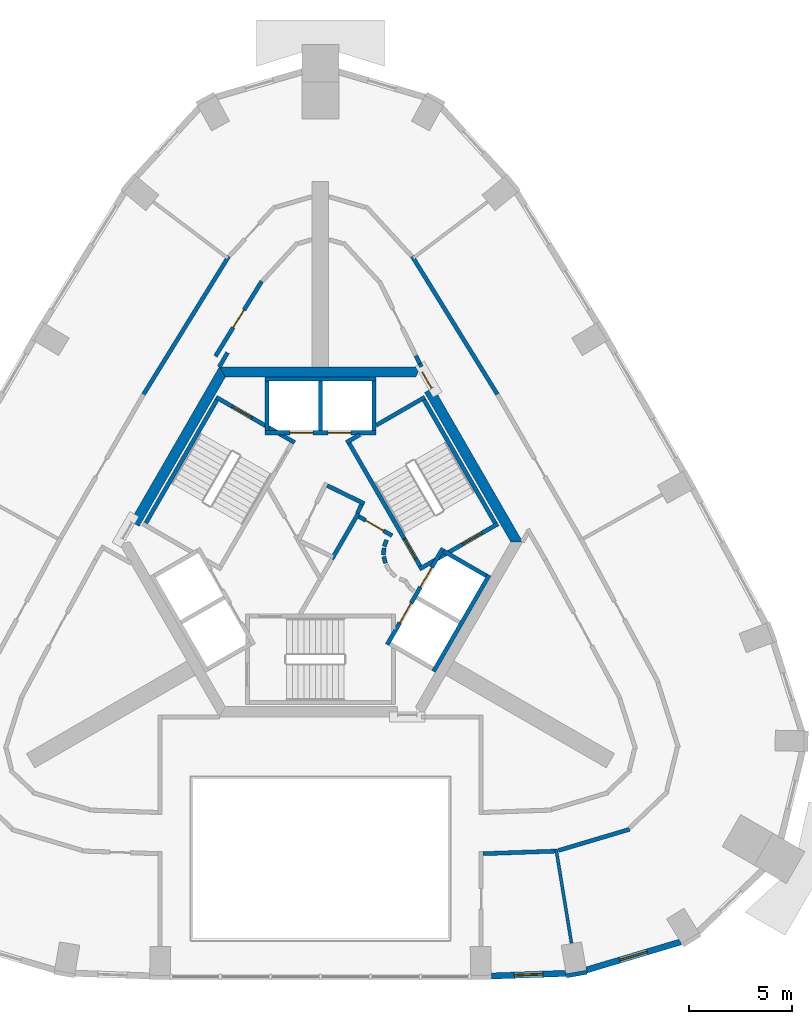
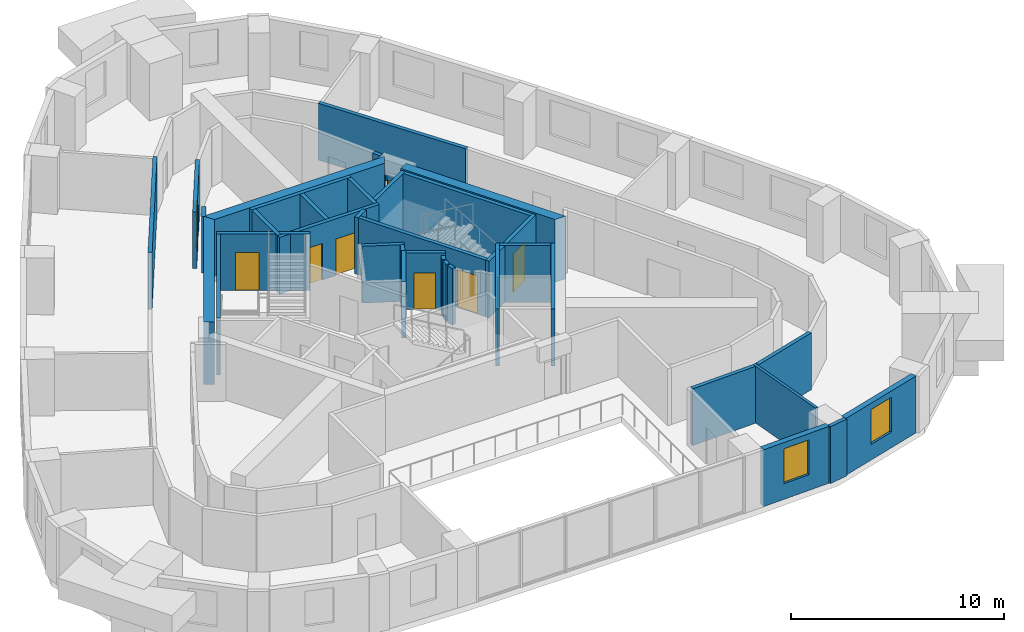
# One storey, part 5 of 9: 38 walls, 10 doors, 2 windows, 12 openings.
"""IFC4 building model written with IfcOpenShell, lengths in metres."""

from ifc_helpers import new_model, si_unit, direction, frame, frame_2d, origin, place, context, subcontext, project, spatial, polyline, rectangle, outline, extrude, material, layer, layer_set, type_object, element, fill, save


model = new_model("IFC4")

# Units and contexts
model_context = context("Model", 3, precision=1e-05, world=origin(), true_north=direction((0.0, 1.0)))
body_context = subcontext(model_context, "Body", "Model", "MODEL_VIEW")
ifc_project = project(units=[si_unit("LENGTHUNIT", "METRE"), si_unit("AREAUNIT", "SQUARE_METRE"), si_unit("VOLUMEUNIT", "CUBIC_METRE"), si_unit("PLANEANGLEUNIT", "RADIAN"), si_unit("MASSUNIT", "GRAM", prefix="KILO")], contexts=[model_context])

# Site, building, storey
site_placement = place(None, origin())
site = spatial("IfcSite", under=ifc_project, at=site_placement, CompositionType="ELEMENT")
building_placement = place(site_placement, origin())
building = spatial("IfcBuilding", under=site, at=building_placement, Name="Entoto Arch Interchange Tower", CompositionType="ELEMENT")
storey_placement = place(building_placement, frame((0.0, 0.0, 315.199951171875)))
storey = spatial("IfcBuildingStorey", under=building, at=storey_placement, Name="L74", CompositionType="ELEMENT", Elevation=315.199951171875)

# Wall, opening, door
ifc_material_1 = material(Name="Reinforced concrete C40/50", Category="concrete")
ifc_layer_1 = layer(ifc_material_1, 0.199951171875)
ifc_layer_set_1 = layer_set([ifc_layer_1], Name="Reinforced concrete C40/50")
wall_type_1 = type_object("IfcWallType", Name="CORE GAP INFILL WALL", PredefinedType="PARTITIONING", material=ifc_layer_set_1)
wall_1_placement = place(storey_placement, frame((5.39892578125, 9.947998046875, 0.0), z_axis=(0.0, 0.0, 1.0), x_axis=(-0.499882215713, 0.866093395895, 0.0)))
wall_1 = element("IfcWall", 1, at=wall_1_placement, inside=storey, type_object=wall_type_1, Name="wall:L74:gap2", PredefinedType="PARTITIONING", context=body_context, shape_type="SweptSolid", body=[
    extrude(rectangle(XDim=0.926025390625, YDim=0.199951171875, at=frame_2d((0.462890625, 0.0))), origin(), (0.0, 0.0, 1.0), 2.400146484375),
])
opening_1_placement = place(wall_1_placement, frame((0.01708984375, 0.0, 0.0)))
opening_1 = element("IfcOpeningElement", 2, at=opening_1_placement, cuts=wall_1, Name="Opening L74-D92", PredefinedType="OPENING", context=body_context, shape_type="SweptSolid", body=[
    extrude(rectangle(XDim=0.89990234375, YDim=2.10009765625, at=frame_2d((0.449951171875, 1.050048828125))), frame((0.0, 0.10986328125, 0.0), z_axis=(0.0, -1.0, 0.0), x_axis=(1.0, 0.0, 0.0)), (0.0, 0.0, 1.0), 0.219970703125),
])
ifc_material_2 = material(Name="Fire-rated Steel S235 door and frame", Category="steel")
door_type_1 = type_object("IfcDoorType", Name="DOOR FD-09 900x2100", OperationType="SINGLE_SWING_LEFT", PredefinedType="DOOR", material=ifc_material_2)
door_1_placement = place(opening_1_placement, origin())
door_1 = element("IfcDoor", 3, at=door_1_placement, inside=storey, type_object=door_type_1, Name="door:L74:gap2", OperationType="SINGLE_SWING_LEFT", OverallHeight=2.10009765625, OverallWidth=0.89990234375, PredefinedType="DOOR", context=body_context, shape_type="SweptSolid", body=[
    extrude(rectangle(XDim=0.89990234375, YDim=2.10009765625, at=frame_2d((0.449951171875, 1.050048828125))), frame((0.0, 0.02490234375, 0.0), z_axis=(0.0, -1.0, 0.0), x_axis=(1.0, 0.0, 0.0)), (0.0, 0.0, 1.0), 0.050048828125),
])
fill(opening_1, door_1)

# Walls
ifc_material_3 = material(Name="Concrete C40/50", Category="concrete")
ifc_layer_2 = layer(ifc_material_3, 0.5)
ifc_layer_set_2 = layer_set([ifc_layer_2], Name="Concrete C40/50")
wall_type_2 = type_object("IfcWallType", Name="Core wall 500 C40/50", PredefinedType="SHEAR", material=ifc_layer_set_2)
wall_2_placement = place(storey_placement, frame((0.0, 0.0, -0.33984375)))
element("IfcWall", 4, at=wall_2_placement, inside=storey, type_object=wall_type_2, Name="Core wall NE L74", PredefinedType="SHEAR", context=body_context, shape_type="SweptSolid", body=[
    extrude(outline(polyline([(5.486083984375, 9.998046875), (5.052978515625, 9.748046875), (9.238037109375, 2.5), (9.81494140625, 2.5), (5.486083984375, 9.998046875)])), origin(), (0.0, 0.0, 1.0), 3.599853515625),
])
wall_3_placement = place(storey_placement, frame((0.0, 0.0, -0.33984375)))
element("IfcWall", 5, at=wall_3_placement, inside=storey, type_object=wall_type_2, Name="Core wall N L74", PredefinedType="SHEAR", context=body_context, shape_type="SweptSolid", body=[
    extrude(outline(polyline([(4.906982421875, 11.0), (-4.906982421875, 11.0), (-4.618896484375, 10.5), (4.618896484375, 10.5), (4.906982421875, 11.0)])), origin(), (0.0, 0.0, 1.0), 3.599853515625),
])
wall_4_placement = place(storey_placement, frame((0.0, 0.0, -0.33984375)))
element("IfcWall", 6, at=wall_4_placement, inside=storey, type_object=wall_type_2, Name="Core wall NW L74", PredefinedType="SHEAR", context=body_context, shape_type="SweptSolid", body=[
    extrude(outline(polyline([(-9.236083984375, 3.501953125), (-8.802978515625, 3.2529296875), (-4.618896484375, 10.5), (-4.906982421875, 11.0), (-9.236083984375, 3.501953125)])), origin(), (0.0, 0.0, 1.0), 3.599853515625),
])

# Wall, openings, doors
ifc_layer_3 = layer(ifc_material_3, 0.199951171875)
ifc_layer_set_3 = layer_set([ifc_layer_3], Name="Concrete C40/50")
wall_type_3 = type_object("IfcWallType", Name="LIFT SHAFT WALL 200", PredefinedType="STANDARD", material=ifc_layer_set_3)
wall_5_placement = place(storey_placement, frame((2.699951171875, 7.800048828125, 0.0), z_axis=(0.0, 0.0, 1.0), x_axis=(-1.0, 0.0, 0.0)))
wall_5 = element("IfcWall", 7, at=wall_5_placement, inside=storey, type_object=wall_type_3, Name="Shaft wall N1 front", PredefinedType="STANDARD", context=body_context, shape_type="SweptSolid", body=[
    extrude(rectangle(XDim=5.39990234375, YDim=0.199951171875, at=frame_2d((2.699951171875, 0.0))), origin(), (0.0, 0.0, 1.0), 3.260009765625),
])
opening_2_placement = place(wall_5_placement, frame((1.22509765625, 0.0, 0.0)))
opening_2 = element("IfcOpeningElement", 8, at=opening_2_placement, cuts=wall_5, Name="Opening LD-HR1-L74", PredefinedType="OPENING", context=body_context, shape_type="SweptSolid", body=[
    extrude(rectangle(XDim=1.10009765625, YDim=2.10009765625, at=frame_2d((0.550048828125, 1.050048828125))), frame((0.0, 0.10986328125, 0.0), z_axis=(0.0, -1.0, 0.0), x_axis=(1.0, 0.0, 0.0)), (0.0, 0.0, 1.0), 0.219970703125),
])
opening_3_placement = place(wall_5_placement, frame((3.074951171875, 0.0, 0.0)))
opening_3 = element("IfcOpeningElement", 9, at=opening_3_placement, cuts=wall_5, Name="Opening LD-HR2-L74", PredefinedType="OPENING", context=body_context, shape_type="SweptSolid", body=[
    extrude(rectangle(XDim=1.10009765625, YDim=2.10009765625, at=frame_2d((0.550048828125, 1.050048828125))), frame((0.0, 0.10986328125, 0.0), z_axis=(0.0, -1.0, 0.0), x_axis=(1.0, 0.0, 0.0)), (0.0, 0.0, 1.0), 0.219970703125),
])
ifc_material_4 = material(Name="Stainless steel 1.4301 panels", Category="steel")
door_type_2 = type_object("IfcDoorType", Name="LIFT LANDING DOOR LD1 1100x2100", OperationType="SLIDING_TO_LEFT", PredefinedType="DOOR", material=ifc_material_4)
door_2_placement = place(opening_2_placement, origin())
door_2 = element("IfcDoor", 10, at=door_2_placement, inside=storey, type_object=door_type_2, Name="Lift landing door HR1 L74", OperationType="SLIDING_TO_LEFT", OverallHeight=2.10009765625, OverallWidth=1.10009765625, PredefinedType="DOOR", context=body_context, shape_type="SweptSolid", body=[
    extrude(rectangle(XDim=1.10009765625, YDim=2.10009765625, at=frame_2d((0.550048828125, 1.050048828125))), frame((0.0, 0.02490234375, 0.0), z_axis=(0.0, -1.0, 0.0), x_axis=(1.0, 0.0, 0.0)), (0.0, 0.0, 1.0), 0.050048828125),
])
fill(opening_2, door_2)
door_3_placement = place(opening_3_placement, origin())
door_3 = element("IfcDoor", 11, at=door_3_placement, inside=storey, type_object=door_type_2, Name="Lift landing door HR2 L74", OperationType="SLIDING_TO_LEFT", OverallHeight=2.10009765625, OverallWidth=1.10009765625, PredefinedType="DOOR", context=body_context, shape_type="SweptSolid", body=[
    extrude(rectangle(XDim=1.10009765625, YDim=2.10009765625, at=frame_2d((0.550048828125, 1.050048828125))), frame((0.0, 0.02490234375, 0.0), z_axis=(0.0, -1.0, 0.0), x_axis=(1.0, 0.0, 0.0)), (0.0, 0.0, 1.0), 0.050048828125),
])
fill(opening_3, door_3)

# Walls
wall_6_placement = place(storey_placement, frame((2.699951171875, 10.39990234375, 0.0), z_axis=(0.0, 0.0, 1.0), x_axis=(-1.0, 0.0, 0.0)))
element("IfcWall", 12, at=wall_6_placement, inside=storey, type_object=wall_type_3, Name="Shaft wall N1 back", PredefinedType="STANDARD", context=body_context, shape_type="SweptSolid", body=[
    extrude(rectangle(XDim=5.39990234375, YDim=0.199951171875, at=frame_2d((2.699951171875, 0.0))), origin(), (0.0, 0.0, 1.0), 3.260009765625),
])
for number, where, z_axis, x_axis, name in (
    (13, (2.60009765625, 7.89990234375, 0.0), (0.0, 0.0, 1.0), (0.0, 1.0, 0.0), "Shaft wall N1 cross 1"),
    (14, (0.0, 7.89990234375, 0.0), (0.0, 0.0, 1.0), (0.0, 1.0, 0.0), "Shaft wall N1 cross 2"),
    (15, (-2.60009765625, 7.89990234375, 0.0), (0.0, 0.0, 1.0), (0.0, 1.0, 0.0), "Shaft wall N1 cross 3"),
):
    element("IfcWall", number, at=place(storey_placement, frame(where, z_axis=z_axis, x_axis=x_axis)), inside=storey, type_object=wall_type_3, Name=name, PredefinedType="STANDARD", context=body_context, shape_type="SweptSolid", body=[
        extrude(rectangle(XDim=2.400146484375, YDim=0.199951171875, at=frame_2d((1.2001953125, 0.0))), origin(), (0.0, 0.0, 1.0), 3.260009765625),
    ])

# Wall, openings, doors
wall_7_placement = place(storey_placement, frame((3.239990234375, -2.488037109375, 0.0), z_axis=(0.0, 0.0, 1.0), x_axis=(0.500034260056, 0.866005622828, 0.0)))
wall_7 = element("IfcWall", 16, at=wall_7_placement, inside=storey, type_object=wall_type_3, Name="Shaft wall SE1 front", PredefinedType="STANDARD", context=body_context, shape_type="SweptSolid", body=[
    extrude(rectangle(XDim=5.3994140625, YDim=0.199951171875, at=frame_2d((2.69970703125, 0.0))), origin(), (0.0, 0.0, 1.0), 3.260009765625),
])
opening_4_placement = place(wall_7_placement, frame((3.22509765625, 0.0, 0.0)))
opening_4 = element("IfcOpeningElement", 17, at=opening_4_placement, cuts=wall_7, Name="Opening LD-HR3-L74", PredefinedType="OPENING", context=body_context, shape_type="SweptSolid", body=[
    extrude(rectangle(XDim=1.10009765625, YDim=2.10009765625, at=frame_2d((0.550048828125, 1.050048828125))), frame((0.0, 0.10986328125, 0.0), z_axis=(0.0, -1.0, 0.0), x_axis=(1.0, 0.0, 0.0)), (0.0, 0.0, 1.0), 0.219970703125),
])
opening_5_placement = place(wall_7_placement, frame((1.22509765625, 0.0, 0.0)))
opening_5 = element("IfcOpeningElement", 18, at=opening_5_placement, cuts=wall_7, Name="Opening LD-FF1-L74", PredefinedType="OPENING", context=body_context, shape_type="SweptSolid", body=[
    extrude(rectangle(XDim=1.10009765625, YDim=2.10009765625, at=frame_2d((0.550048828125, 1.050048828125))), frame((0.0, 0.10986328125, 0.0), z_axis=(0.0, -1.0, 0.0), x_axis=(1.0, 0.0, 0.0)), (0.0, 0.0, 1.0), 0.219970703125),
])
door_4_placement = place(opening_4_placement, origin())
door_4 = element("IfcDoor", 19, at=door_4_placement, inside=storey, type_object=door_type_2, Name="Lift landing door HR3 L74", OperationType="SLIDING_TO_LEFT", OverallHeight=2.10009765625, OverallWidth=1.10009765625, PredefinedType="DOOR", context=body_context, shape_type="SweptSolid", body=[
    extrude(rectangle(XDim=1.10009765625, YDim=2.10009765625, at=frame_2d((0.550048828125, 1.050048828125))), frame((0.0, 0.02490234375, 0.0), z_axis=(0.0, -1.0, 0.0), x_axis=(1.0, 0.0, 0.0)), (0.0, 0.0, 1.0), 0.050048828125),
])
fill(opening_4, door_4)
door_5_placement = place(opening_5_placement, origin())
door_5 = element("IfcDoor", 20, at=door_5_placement, inside=storey, type_object=door_type_2, Name="Lift landing door FF1 L74", OperationType="SLIDING_TO_LEFT", OverallHeight=2.10009765625, OverallWidth=1.10009765625, PredefinedType="DOOR", context=body_context, shape_type="SweptSolid", body=[
    extrude(rectangle(XDim=1.10009765625, YDim=2.10009765625, at=frame_2d((0.550048828125, 1.050048828125))), frame((0.0, 0.02490234375, 0.0), z_axis=(0.0, -1.0, 0.0), x_axis=(1.0, 0.0, 0.0)), (0.0, 0.0, 1.0), 0.050048828125),
])
fill(opening_5, door_5)

# Walls
wall_8_placement = place(storey_placement, frame((5.491943359375, -3.7880859375, 0.0), z_axis=(0.0, 0.0, 1.0), x_axis=(0.500034260056, 0.866005622828, 0.0)))
element("IfcWall", 21, at=wall_8_placement, inside=storey, type_object=wall_type_3, Name="Shaft wall SE1 back", PredefinedType="STANDARD", context=body_context, shape_type="SweptSolid", body=[
    extrude(rectangle(XDim=5.3994140625, YDim=0.199951171875, at=frame_2d((2.69970703125, 0.0))), origin(), (0.0, 0.0, 1.0), 3.260009765625),
])
wall_9_placement = place(storey_placement, frame((5.97705078125, 2.052001953125, 0.0), z_axis=(0.0, 0.0, 1.0), x_axis=(0.865973769406, -0.500089422704, 0.0)))
element("IfcWall", 22, at=wall_9_placement, inside=storey, type_object=wall_type_3, Name="Shaft wall SE1 cross 3", PredefinedType="STANDARD", context=body_context, shape_type="SweptSolid", body=[
    extrude(rectangle(XDim=2.3994140625, YDim=0.199951171875, at=frame_2d((1.19970703125, 0.0))), origin(), (0.0, 0.0, 1.0), 3.260009765625),
])
ifc_material_5 = material(Name="Gypsum board partition on steel studs", Category="steel")
ifc_layer_4 = layer(ifc_material_5, 0.14990234375)
ifc_layer_set_4 = layer_set([ifc_layer_4], Name="Gypsum board partition on steel studs")
wall_type_4 = type_object("IfcWallType", Name="PARTITION 150", PredefinedType="PARTITIONING", material=ifc_layer_set_4)
wall_10_placement = place(storey_placement, frame((11.43798828125, -12.4140625, 0.0), z_axis=(0.0, 0.0, 1.0), x_axis=(0.161576343941, -0.986860215572, 0.0)))
element("IfcWall", 23, at=wall_10_placement, inside=storey, type_object=wall_type_4, Name="wall:L74:p069", PredefinedType="PARTITIONING", context=body_context, shape_type="SweptSolid", body=[
    extrude(rectangle(XDim=4.629638671875, YDim=0.14990234375, at=frame_2d((2.31494140625, 0.0))), origin(), (0.0, 0.0, 1.0), 3.260009765625),
])
ifc_layer_5 = layer(ifc_material_5, 0.199951171875)
ifc_layer_set_5 = layer_set([ifc_layer_5], Name="Gypsum board partition on steel studs")
wall_type_5 = type_object("IfcWallType", Name="PARTITION 200", PredefinedType="PARTITIONING", material=ifc_layer_set_5)
wall_11_placement = place(storey_placement, frame((0.56005859375, 1.6708984375, 0.0), z_axis=(0.0, 0.0, 1.0), x_axis=(0.500008334558, 0.866020591771, 0.0)))
element("IfcWall", 24, at=wall_11_placement, inside=storey, type_object=wall_type_5, Name="wall:L74:p001", PredefinedType="PARTITIONING", context=body_context, shape_type="SweptSolid", body=[
    extrude(rectangle(XDim=2.5380859375, YDim=0.199951171875, at=frame_2d((1.26904296875, 0.0))), origin(), (0.0, 0.0, 1.0), 3.260009765625),
])
wall_12_placement = place(storey_placement, frame((1.7900390625, 3.887939453125, 0.0), z_axis=(0.0, 0.0, 1.0), x_axis=(0.437807406823, 0.899068781869, 0.0)))
element("IfcWall", 25, at=wall_12_placement, inside=storey, type_object=wall_type_5, Name="wall:L74:p002", PredefinedType="PARTITIONING", context=body_context, shape_type="SweptSolid", body=[
    extrude(rectangle(XDim=0.468505859375, YDim=0.199951171875, at=frame_2d((0.234375, 0.0))), origin(), (0.0, 0.0, 1.0), 3.260009765625),
])
wall_13_placement = place(storey_placement, frame((2.1279296875, 4.35498046875, 0.0), z_axis=(0.0, 0.0, 1.0), x_axis=(-0.898876404494, 0.438202247191, 0.0)))
element("IfcWall", 26, at=wall_13_placement, inside=storey, type_object=wall_type_5, Name="wall:L74:p003", PredefinedType="PARTITIONING", context=body_context, shape_type="SweptSolid", body=[
    extrude(rectangle(XDim=1.9990234375, YDim=0.199951171875, at=frame_2d((0.99951171875, 0.0))), origin(), (0.0, 0.0, 1.0), 3.260009765625),
])
wall_14_placement = place(storey_placement, frame((4.89599609375, 11.0, 0.0), z_axis=(0.0, 0.0, 1.0), x_axis=(-0.44208884847, 0.896971264901, 0.0)))
element("IfcWall", 27, at=wall_14_placement, inside=storey, type_object=wall_type_5, Name="wall:L74:p008", PredefinedType="PARTITIONING", context=body_context, shape_type="SweptSolid", body=[
    extrude(rectangle(XDim=0.171630859375, YDim=0.199951171875, at=frame_2d((0.0859375, 0.0))), origin(), (0.0, 0.0, 1.0), 2.400146484375),
])

# Wall, opening, door
wall_15_placement = place(storey_placement, frame((-2.85205078125, 15.152099609375, 0.0), z_axis=(0.0, 0.0, 1.0), x_axis=(-0.525050105661, -0.851071316956, 0.0)))
wall_15 = element("IfcWall", 28, at=wall_15_placement, inside=storey, type_object=wall_type_5, Name="wall:L74:p012", PredefinedType="PARTITIONING", context=body_context, shape_type="SweptSolid", body=[
    extrude(rectangle(XDim=4.273681640625, YDim=0.199951171875, at=frame_2d((2.13671875, 0.0))), origin(), (0.0, 0.0, 1.0), 3.260009765625),
])
opening_6_placement = place(wall_15_placement, frame((1.636962890625, 0.0, 0.0)))
opening_6 = element("IfcOpeningElement", 29, at=opening_6_placement, cuts=wall_15, Name="Opening L74-D10", PredefinedType="OPENING", context=body_context, shape_type="SweptSolid", body=[
    extrude(rectangle(XDim=1.0, YDim=2.10009765625, at=frame_2d((0.5, 1.050048828125))), frame((0.0, 0.10986328125, 0.0), z_axis=(0.0, -1.0, 0.0), x_axis=(1.0, 0.0, 0.0)), (0.0, 0.0, 1.0), 0.219970703125),
])
ifc_material_6 = material(Name="Timber door leaf in Steel S235 frame", Category="steel")
door_type_3 = type_object("IfcDoorType", Name="DOOR DS-10 1000x2100", OperationType="SINGLE_SWING_LEFT", PredefinedType="DOOR", material=ifc_material_6)
door_6_placement = place(opening_6_placement, origin())
door_6 = element("IfcDoor", 30, at=door_6_placement, inside=storey, type_object=door_type_3, Name="door:L74:10", OperationType="SINGLE_SWING_LEFT", OverallHeight=2.10009765625, OverallWidth=1.0, PredefinedType="DOOR", context=body_context, shape_type="SweptSolid", body=[
    extrude(rectangle(XDim=1.0, YDim=2.10009765625, at=frame_2d((0.5, 1.050048828125))), frame((0.0, 0.02490234375, 0.0), z_axis=(0.0, -1.0, 0.0), x_axis=(1.0, 0.0, 0.0)), (0.0, 0.0, 1.0), 0.050048828125),
])
fill(opening_6, door_6)

# Walls
wall_16_placement = place(storey_placement, frame((-4.512939453125, 11.68701171875, 0.0), z_axis=(0.0, 0.0, 1.0), x_axis=(-0.499556546863, -0.866281280235, 0.0)))
element("IfcWall", 31, at=wall_16_placement, inside=storey, type_object=wall_type_5, Name="wall:L74:p013", PredefinedType="PARTITIONING", context=body_context, shape_type="SweptSolid", body=[
    extrude(rectangle(XDim=0.806884765625, YDim=0.199951171875, at=frame_2d((0.4033203125, 0.0))), origin(), (0.0, 0.0, 1.0), 3.260009765625),
])
wall_17_placement = place(storey_placement, frame((11.47900390625, -12.511962890625, 0.0), z_axis=(0.0, 0.0, 1.0), x_axis=(-0.999371508837, -0.035448375484, 0.0)))
element("IfcWall", 32, at=wall_17_placement, inside=storey, type_object=wall_type_5, Name="wall:L74:p030", PredefinedType="PARTITIONING", context=body_context, shape_type="SweptSolid", body=[
    extrude(rectangle(XDim=3.581298828125, YDim=0.199951171875, at=frame_2d((1.79052734375, 0.0))), origin(), (0.0, 0.0, 1.0), 3.260009765625),
])
wall_18_placement = place(storey_placement, frame((15.00390625, -11.4560546875, 0.0), z_axis=(0.0, 0.0, 1.0), x_axis=(-0.958459796003, -0.285227662485, 0.0)))
element("IfcWall", 33, at=wall_18_placement, inside=storey, type_object=wall_type_5, Name="wall:L74:p035", PredefinedType="PARTITIONING", context=body_context, shape_type="SweptSolid", body=[
    extrude(rectangle(XDim=3.603515625, YDim=0.199951171875, at=frame_2d((1.8017578125, 0.0))), origin(), (0.0, 0.0, 1.0), 3.260009765625),
])
for number, where, z_axis, x_axis, name in (
    (34, (4.4541015625, 16.364013671875, 0.0), (0.0, 0.0, 1.0), (0.525142215688, -0.851014484778, 0.0), "wall:L74:p036"),
    (35, (-8.587890625, 9.6650390625, 0.0), (0.0, 0.0, 1.0), (0.525142215688, 0.851014484778, 0.0), "wall:L74:p043"),
):
    element("IfcWall", number, at=place(storey_placement, frame(where, z_axis=z_axis, x_axis=x_axis)), inside=storey, type_object=wall_type_5, Name=name, PredefinedType="PARTITIONING", context=body_context, shape_type="SweptSolid", body=[
        extrude(rectangle(XDim=7.871826171875, YDim=0.199951171875, at=frame_2d((3.93603515625, 0.0))), origin(), (0.0, 0.0, 1.0), 3.260009765625),
    ])

# Wall, opening, door
wall_19_placement = place(storey_placement, frame((1.865966796875, 3.73193359375, 0.0), z_axis=(0.0, 0.0, 1.0), x_axis=(0.866043361281, -0.499968895414, 0.0)))
wall_19 = element("IfcWall", 36, at=wall_19_placement, inside=storey, type_object=wall_type_5, Name="wall:L74:p052", PredefinedType="PARTITIONING", context=body_context, shape_type="SweptSolid", body=[
    extrude(rectangle(XDim=1.85791015625, YDim=0.199951171875, at=frame_2d((0.928955078125, 0.0))), origin(), (0.0, 0.0, 1.0), 3.260009765625),
])
opening_7_placement = place(wall_19_placement, frame((0.37890625, 0.0, 0.0)))
opening_7 = element("IfcOpeningElement", 37, at=opening_7_placement, cuts=wall_19, Name="Opening L74-D12", PredefinedType="OPENING", context=body_context, shape_type="SweptSolid", body=[
    extrude(rectangle(XDim=1.0, YDim=2.10009765625, at=frame_2d((0.5, 1.050048828125))), frame((0.0, 0.10986328125, 0.0), z_axis=(0.0, -1.0, 0.0), x_axis=(1.0, 0.0, 0.0)), (0.0, 0.0, 1.0), 0.219970703125),
])
door_type_4 = type_object("IfcDoorType", Name="DOOR FD-10 1000x2100", OperationType="SINGLE_SWING_LEFT", PredefinedType="DOOR", material=ifc_material_2)
door_7_placement = place(opening_7_placement, origin())
door_7 = element("IfcDoor", 38, at=door_7_placement, inside=storey, type_object=door_type_4, Name="door:L74:12", OperationType="SINGLE_SWING_LEFT", OverallHeight=2.10009765625, OverallWidth=1.0, PredefinedType="DOOR", context=body_context, shape_type="SweptSolid", body=[
    extrude(rectangle(XDim=1.0, YDim=2.10009765625, at=frame_2d((0.5, 1.050048828125))), frame((0.0, 0.02490234375, 0.0), z_axis=(0.0, -1.0, 0.0), x_axis=(1.0, 0.0, 0.0)), (0.0, 0.0, 1.0), 0.050048828125),
])
fill(opening_7, door_7)

# Walls
wall_20_placement = place(storey_placement, frame((3.2080078125, 2.592041015625, 0.0), z_axis=(0.0, 0.0, 1.0), x_axis=(-0.337388820924, -0.941365382578, 0.0)))
element("IfcWall", 39, at=wall_20_placement, inside=storey, type_object=wall_type_5, Name="wall:L74:p053", PredefinedType="PARTITIONING", context=body_context, shape_type="SweptSolid", body=[
    extrude(rectangle(XDim=0.337890625, YDim=0.199951171875, at=frame_2d((0.1689453125, 0.0))), origin(), (0.0, 0.0, 1.0), 3.260009765625),
])
wall_21_placement = place(storey_placement, frame((3.0791015625, 2.198974609375, 0.0), z_axis=(0.0, 0.0, 1.0), x_axis=(-0.047771483479, -0.998858290933, 0.0)))
element("IfcWall", 40, at=wall_21_placement, inside=storey, type_object=wall_type_5, Name="wall:L74:p054", PredefinedType="PARTITIONING", context=body_context, shape_type="SweptSolid", body=[
    extrude(rectangle(XDim=0.33740234375, YDim=0.199951171875, at=frame_2d((0.168701171875, 0.0))), origin(), (0.0, 0.0, 1.0), 3.260009765625),
])
wall_22_placement = place(storey_placement, frame((3.070068359375, 1.785888671875, 0.0), z_axis=(0.0, 0.0, 1.0), x_axis=(0.242705583207, -0.970099994784, 0.0)))
element("IfcWall", 41, at=wall_22_placement, inside=storey, type_object=wall_type_5, Name="wall:L74:p055", PredefinedType="PARTITIONING", context=body_context, shape_type="SweptSolid", body=[
    extrude(rectangle(XDim=0.337890625, YDim=0.199951171875, at=frame_2d((0.1689453125, 0.0))), origin(), (0.0, 0.0, 1.0), 3.260009765625),
])
wall_23_placement = place(storey_placement, frame((4.820068359375, 11.154052734375, 0.0), z_axis=(0.0, 0.0, 1.0), x_axis=(-0.439660677009, 0.898163954461, 0.0)))
element("IfcWall", 42, at=wall_23_placement, inside=storey, type_object=wall_type_5, Name="wall:L74:p008", PredefinedType="PARTITIONING", context=body_context, shape_type="SweptSolid", body=[
    extrude(rectangle(XDim=0.427490234375, YDim=0.199951171875, at=frame_2d((0.2138671875, 0.0))), origin(), (0.0, 0.0, 1.0), 3.260009765625),
])

# Wall, opening, door
ifc_layer_6 = layer(ifc_material_3, 0.199951171875)
ifc_layer_set_6 = layer_set([ifc_layer_6], Name="Concrete C40/50")
wall_type_6 = type_object("IfcWallType", Name="STAIR ENCLOSURE WALL 200", PredefinedType="STANDARD", material=ifc_layer_set_6)
wall_24_placement = place(storey_placement, frame((4.805908203125, 1.176025390625, 0.0), z_axis=(0.0, 0.0, 1.0), x_axis=(0.866059941101, 0.499940174841, 0.0)))
wall_24 = element("IfcWall", 43, at=wall_24_placement, inside=storey, type_object=wall_type_6, Name="Stair wall ST-NE near", PredefinedType="STANDARD", context=body_context, shape_type="SweptSolid", body=[
    extrude(rectangle(XDim=4.400390625, YDim=0.199951171875, at=frame_2d((2.2001953125, 0.0))), origin(), (0.0, 0.0, 1.0), 3.260009765625),
])
opening_8_placement = place(wall_24_placement, frame((2.39990234375, 0.0, 0.0)))
opening_8 = element("IfcOpeningElement", 44, at=opening_8_placement, cuts=wall_24, Name="Opening SD-ST-NE-L74-E", PredefinedType="OPENING", context=body_context, shape_type="SweptSolid", body=[
    extrude(rectangle(XDim=1.10009765625, YDim=2.199951171875, at=frame_2d((0.550048828125, 1.10009765625))), frame((0.0, 0.10986328125, 0.0), z_axis=(0.0, -1.0, 0.0), x_axis=(1.0, 0.0, 0.0)), (0.0, 0.0, 1.0), 0.219970703125),
])
ifc_material_7 = material(Name="Steel S235", Category="steel")
door_type_5 = type_object("IfcDoorType", Name="STAIR DOOR SD1 1100x2200", OperationType="SINGLE_SWING_LEFT", PredefinedType="DOOR", material=ifc_material_7)
door_8_placement = place(opening_8_placement, origin())
door_8 = element("IfcDoor", 45, at=door_8_placement, inside=storey, type_object=door_type_5, Name="Stair door ST-NE L74 end", OperationType="SINGLE_SWING_LEFT", OverallHeight=2.199951171875, OverallWidth=1.10009765625, PredefinedType="DOOR", context=body_context, shape_type="SweptSolid", body=[
    extrude(rectangle(XDim=1.10009765625, YDim=2.199951171875, at=frame_2d((0.550048828125, 1.10009765625))), frame((0.0, 0.02490234375, 0.0), z_axis=(0.0, -1.0, 0.0), x_axis=(1.0, 0.0, 0.0)), (0.0, 0.0, 1.0), 0.050048828125),
])
fill(opening_8, door_8)

# Walls
wall_25_placement = place(storey_placement, frame((2.699951171875, 8.157958984375, 0.0), z_axis=(0.0, 0.0, 1.0), x_axis=(0.86611865017, 0.499838457731, 0.0)))
element("IfcWall", 46, at=wall_25_placement, inside=storey, type_object=wall_type_6, Name="Stair wall ST-NE far", PredefinedType="STANDARD", context=body_context, shape_type="SweptSolid", body=[
    extrude(rectangle(XDim=2.73291015625, YDim=0.199951171875, at=frame_2d((1.366455078125, 0.0))), origin(), (0.0, 0.0, 1.0), 3.260009765625),
])
wall_26_placement = place(storey_placement, frame((1.256103515625, 7.323974609375, 0.0), z_axis=(0.0, 0.0, 1.0), x_axis=(0.865915093549, 0.500191014278, 0.0)))
element("IfcWall", 47, at=wall_26_placement, inside=storey, type_object=wall_type_6, Name="Stair wall ST-NE far return", PredefinedType="STANDARD", context=body_context, shape_type="SweptSolid", body=[
    extrude(rectangle(XDim=0.751708984375, YDim=0.199951171875, at=frame_2d((0.3759765625, 0.0))), origin(), (0.0, 0.0, 1.0), 3.260009765625),
])

# Wall, opening, door
wall_27_placement = place(storey_placement, frame((4.843017578125, 1.31201171875, 0.0), z_axis=(0.0, 0.0, 1.0), x_axis=(-0.499963383562, 0.866046543262, 0.0)))
wall_27 = element("IfcWall", 48, at=wall_27_placement, inside=storey, type_object=wall_type_6, Name="Stair wall ST-NE hall", PredefinedType="STANDARD", context=body_context, shape_type="SweptSolid", body=[
    extrude(rectangle(XDim=6.900390625, YDim=0.199951171875, at=frame_2d((3.4501953125, 0.0))), origin(), (0.0, 0.0, 1.0), 3.260009765625),
])
opening_9_placement = place(wall_27_placement, frame((0.449951171875, 0.0, 0.0)))
opening_9 = element("IfcOpeningElement", 49, at=opening_9_placement, cuts=wall_27, Name="Opening SD-ST-NE-L74", PredefinedType="OPENING", context=body_context, shape_type="SweptSolid", body=[
    extrude(rectangle(XDim=1.10009765625, YDim=2.199951171875, at=frame_2d((0.550048828125, 1.10009765625))), frame((0.0, 0.10986328125, 0.0), z_axis=(0.0, -1.0, 0.0), x_axis=(1.0, 0.0, 0.0)), (0.0, 0.0, 1.0), 0.219970703125),
])
door_9_placement = place(opening_9_placement, origin())
door_9 = element("IfcDoor", 50, at=door_9_placement, inside=storey, type_object=door_type_5, Name="Stair door ST-NE L74", OperationType="SINGLE_SWING_LEFT", OverallHeight=2.199951171875, OverallWidth=1.10009765625, PredefinedType="DOOR", context=body_context, shape_type="SweptSolid", body=[
    extrude(rectangle(XDim=1.10009765625, YDim=2.199951171875, at=frame_2d((0.550048828125, 1.10009765625))), frame((0.0, 0.02490234375, 0.0), z_axis=(0.0, -1.0, 0.0), x_axis=(1.0, 0.0, 0.0)), (0.0, 0.0, 1.0), 0.050048828125),
])
fill(opening_9, door_9)

# Wall
wall_28_placement = place(storey_placement, frame((8.47998046875, 3.412109375, 0.0), z_axis=(0.0, 0.0, 1.0), x_axis=(-0.499978703459, 0.866037698999, 0.0)))
element("IfcWall", 51, at=wall_28_placement, inside=storey, type_object=wall_type_6, Name="Stair wall ST-NE back", PredefinedType="STANDARD", context=body_context, shape_type="SweptSolid", body=[
    extrude(rectangle(XDim=6.900146484375, YDim=0.199951171875, at=frame_2d((3.4501953125, 0.0))), origin(), (0.0, 0.0, 1.0), 3.260009765625),
])

# Wall, opening, door
wall_29_placement = place(storey_placement, frame((-1.256103515625, 7.323974609375, 0.0), z_axis=(0.0, 0.0, 1.0), x_axis=(-0.866046073146, 0.499964197906, 0.0)))
wall_29 = element("IfcWall", 52, at=wall_29_placement, inside=storey, type_object=wall_type_6, Name="Stair wall ST-NW near", PredefinedType="STANDARD", context=body_context, shape_type="SweptSolid", body=[
    extrude(rectangle(XDim=4.400146484375, YDim=0.199951171875, at=frame_2d((2.2001953125, 0.0))), origin(), (0.0, 0.0, 1.0), 3.260009765625),
])
opening_10_placement = place(wall_29_placement, frame((2.39990234375, 0.0, 0.0)))
opening_10 = element("IfcOpeningElement", 53, at=opening_10_placement, cuts=wall_29, Name="Opening SD-ST-NW-L74-E", PredefinedType="OPENING", context=body_context, shape_type="SweptSolid", body=[
    extrude(rectangle(XDim=1.10009765625, YDim=2.199951171875, at=frame_2d((0.550048828125, 1.10009765625))), frame((0.0, 0.10986328125, 0.0), z_axis=(0.0, -1.0, 0.0), x_axis=(1.0, 0.0, 0.0)), (0.0, 0.0, 1.0), 0.219970703125),
])
door_10_placement = place(opening_10_placement, origin())
door_10 = element("IfcDoor", 54, at=door_10_placement, inside=storey, type_object=door_type_5, Name="Stair door ST-NW L74 end", OperationType="SINGLE_SWING_LEFT", OverallHeight=2.199951171875, OverallWidth=1.10009765625, PredefinedType="DOOR", context=body_context, shape_type="SweptSolid", body=[
    extrude(rectangle(XDim=1.10009765625, YDim=2.199951171875, at=frame_2d((0.550048828125, 1.10009765625))), frame((0.0, 0.02490234375, 0.0), z_axis=(0.0, -1.0, 0.0), x_axis=(1.0, 0.0, 0.0)), (0.0, 0.0, 1.0), 0.050048828125),
])
fill(opening_10, door_10)

# Wall
wall_30_placement = place(storey_placement, frame((-5.030029296875, 9.387939453125, 0.0), z_axis=(0.0, 0.0, 1.0), x_axis=(-0.499978703459, -0.866037698999, 0.0)))
element("IfcWall", 55, at=wall_30_placement, inside=storey, type_object=wall_type_6, Name="Stair wall ST-NW back", PredefinedType="STANDARD", context=body_context, shape_type="SweptSolid", body=[
    extrude(rectangle(XDim=6.900146484375, YDim=0.199951171875, at=frame_2d((3.4501953125, 0.0))), origin(), (0.0, 0.0, 1.0), 3.260009765625),
])

# Wall, opening, window
ifc_material_8 = material(Name="Welded tuff (ignimbrite) cladding, warm buff", Category="masonry")
ifc_layer_7 = layer(ifc_material_8, 0.300048828125)
ifc_layer_set_7 = layer_set([ifc_layer_7], Name="Welded tuff (ignimbrite) cladding, warm buff")
wall_type_7 = type_object("IfcWallType", Name="STONE INFILL WALL 300", PredefinedType="STANDARD", material=ifc_layer_set_7)
wall_31_placement = place(storey_placement, frame((8.2958984375, -18.577880859375, 0.0), z_axis=(0.0, 0.0, 1.0), x_axis=(0.999377185233, 0.035287981473, 0.0)))
wall_31 = element("IfcWall", 56, at=wall_31_placement, inside=storey, type_object=wall_type_7, Name="Facade wall S-03 L74", PredefinedType="STANDARD", context=body_context, shape_type="SweptSolid", body=[
    extrude(rectangle(XDim=3.625244140625, YDim=0.300048828125, at=frame_2d((1.8125, 0.0))), origin(), (0.0, 0.0, 1.0), 3.260009765625),
])
opening_11_placement = place(wall_31_placement, frame((1.113037109375, 0.0, 0.89990234375)))
opening_11 = element("IfcOpeningElement", 57, at=opening_11_placement, cuts=wall_31, Name="Opening WH-B", PredefinedType="OPENING", context=body_context, shape_type="SweptSolid", body=[
    extrude(rectangle(XDim=1.39990234375, YDim=2.0, at=frame_2d((0.699951171875, 1.0))), frame((0.0, 0.16015625, 0.0), z_axis=(0.0, -1.0, 0.0), x_axis=(1.0, 0.0, 0.0)), (0.0, 0.0, 1.0), 0.320068359375),
])
ifc_material_9 = material(Name="Clear glass, low-e double glazed", Category="glass")
window_type = type_object("IfcWindowType", Name="WINDOW WH-B 1400x2000", PartitioningType="DOUBLE_PANEL_VERTICAL", PredefinedType="WINDOW", material=ifc_material_9)
window_1_placement = place(opening_11_placement, origin())
window_1 = element("IfcWindow", 58, at=window_1_placement, inside=storey, type_object=window_type, Name="Window WH-B S-03 L74", OverallHeight=2.0, OverallWidth=1.39990234375, PartitioningType="SINGLE_PANEL", PredefinedType="WINDOW", context=body_context, shape_type="SweptSolid", body=[
    extrude(rectangle(XDim=1.39990234375, YDim=2.0, at=frame_2d((0.699951171875, 1.0))), frame((0.0, 0.030029296875, 0.0), z_axis=(0.0, -1.0, 0.0), x_axis=(1.0, 0.0, 0.0)), (0.0, 0.0, 1.0), 0.06005859375),
])
fill(opening_11, window_1)

wall_32_placement = place(storey_placement, frame((12.904052734375, -18.2890625, 0.0), z_axis=(0.0, 0.0, 1.0), x_axis=(0.95841929886, 0.285363711031, 0.0)))
wall_32 = element("IfcWall", 59, at=wall_32_placement, inside=storey, type_object=wall_type_7, Name="Facade wall SE-01 L74", PredefinedType="STANDARD", context=body_context, shape_type="SweptSolid", body=[
    extrude(rectangle(XDim=4.776611328125, YDim=0.300048828125, at=frame_2d((2.38818359375, 0.0))), origin(), (0.0, 0.0, 1.0), 3.260009765625),
])
opening_12_placement = place(wall_32_placement, frame((1.68798828125, 0.0, 0.89990234375)))
opening_12 = element("IfcOpeningElement", 60, at=opening_12_placement, cuts=wall_32, Name="Opening WH-B", PredefinedType="OPENING", context=body_context, shape_type="SweptSolid", body=[
    extrude(rectangle(XDim=1.39990234375, YDim=2.0, at=frame_2d((0.699951171875, 1.0))), frame((0.0, 0.16015625, 0.0), z_axis=(0.0, -1.0, 0.0), x_axis=(1.0, 0.0, 0.0)), (0.0, 0.0, 1.0), 0.320068359375),
])
window_2_placement = place(opening_12_placement, origin())
window_2 = element("IfcWindow", 61, at=window_2_placement, inside=storey, type_object=window_type, Name="Window WH-B SE-01 L74", OverallHeight=2.0, OverallWidth=1.39990234375, PartitioningType="SINGLE_PANEL", PredefinedType="WINDOW", context=body_context, shape_type="SweptSolid", body=[
    extrude(rectangle(XDim=1.39990234375, YDim=2.0, at=frame_2d((0.699951171875, 1.0))), frame((0.0, 0.030029296875, 0.0), z_axis=(0.0, -1.0, 0.0), x_axis=(1.0, 0.0, 0.0)), (0.0, 0.0, 1.0), 0.06005859375),
])
fill(opening_12, window_2)

# Wall
ifc_layer_8 = layer(ifc_material_8, 0.199951171875)
ifc_layer_set_8 = layer_set([ifc_layer_8], Name="Welded tuff (ignimbrite) cladding, warm buff")
wall_type_8 = type_object("IfcWallType", Name="STONE PIER CLADDING 200", PredefinedType="STANDARD", material=ifc_layer_set_8)
wall_33_placement = place(storey_placement, frame((11.93798828125, -18.56591796875, 0.0), z_axis=(0.0, 0.0, 1.0), x_axis=(0.985800545746, 0.167920469293, 0.0)))
element("IfcWall", 62, at=wall_33_placement, inside=storey, type_object=wall_type_8, Name="Stone pier S04 L74", PredefinedType="STANDARD", context=body_context, shape_type="SweptSolid", body=[
    extrude(rectangle(XDim=1.000244140625, YDim=0.199951171875, at=frame_2d((0.5, 0.0))), origin(), (0.0, 0.0, 1.0), 3.260009765625),
])

save(model, "model.ifc")
